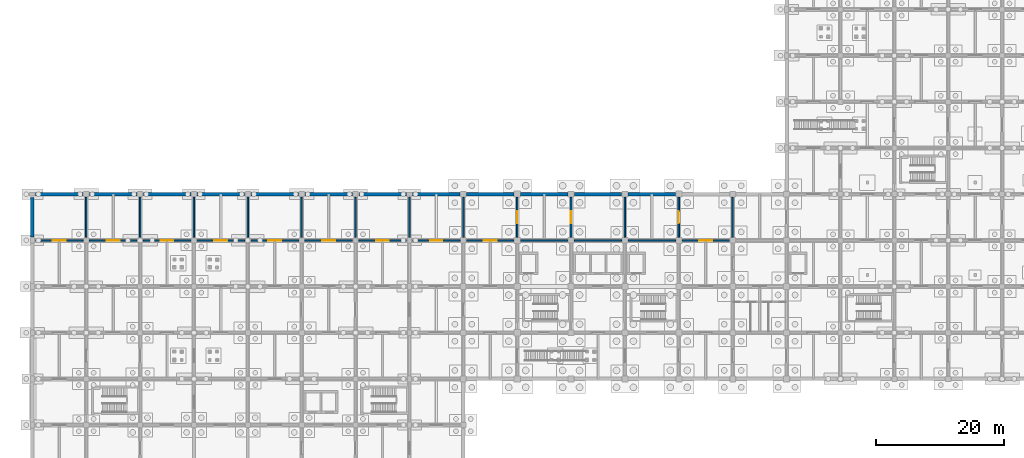
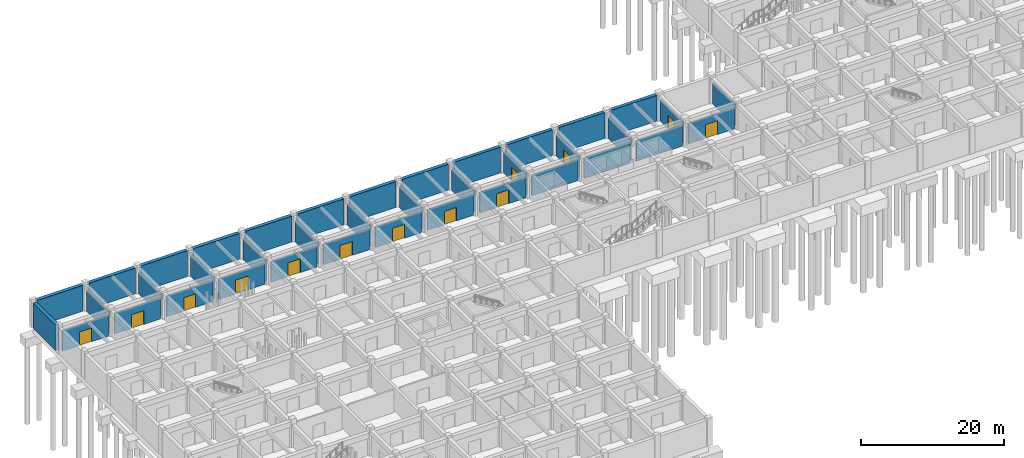
# One storey, part 31 of 38: 39 walls, 13 doors, 13 openings.
"""IFC4 building model written with IfcOpenShell, lengths in metres."""

from ifc_helpers import new_model, si_unit, derived_unit, direction, frame, frame_2d, origin, place, context, subcontext, project, spatial, rectangle, extrude, material, layer, layer_set, type_object, element, fill, save


model = new_model("IFC4")

# Units and contexts
model_context = context("Model", 3, precision=1e-05, world=origin(), true_north=direction((0.0, 1.0)))
body_context = subcontext(model_context, "Body", "Model", "MODEL_VIEW")
ifc_project = project(units=[si_unit("LENGTHUNIT", "METRE"), si_unit("AREAUNIT", "SQUARE_METRE"), si_unit("VOLUMEUNIT", "CUBIC_METRE"), si_unit("PLANEANGLEUNIT", "RADIAN"), si_unit("MASSUNIT", "GRAM", prefix="KILO"), derived_unit("THERMALTRANSMITTANCEUNIT", [(si_unit("MASSUNIT", "GRAM", prefix="KILO"), 1), (si_unit("TIMEUNIT", "SECOND"), -3), (si_unit("THERMODYNAMICTEMPERATUREUNIT", "KELVIN"), -1)])], contexts=[model_context])

# Site, building, storey
site_placement = place(None, origin())
site = spatial("IfcSite", under=ifc_project, at=site_placement, CompositionType="ELEMENT")
building_placement = place(site_placement, origin())
building = spatial("IfcBuilding", under=site, at=building_placement, Name="Veldstrom Oceanarium and Marine Research Institute", CompositionType="ELEMENT")
storey_placement = place(building_placement, frame((0.0, 0.0, -9.60009765625)))
storey = spatial("IfcBuildingStorey", under=building, at=storey_placement, Name="B02", CompositionType="ELEMENT", Elevation=-9.60009765625)

# Wall
ifc_material_1 = material(Name="Masonry Fire Compartment Wall", Category="masonry")
ifc_layer_1 = layer(ifc_material_1, 0.22998046875)
ifc_layer_set_1 = layer_set([ifc_layer_1], Name="ARC-WAL-PT1")
wall_type_1 = type_object("IfcWallType", Name="ARC-WAL-PT1", PredefinedType="PARTITIONING", material=ifc_layer_set_1)
wall_1_placement = place(storey_placement, frame((8.39990234375, 65.300048828125, 0.0), z_axis=(0.0, 0.0, 1.0), x_axis=(0.0, 1.0, 0.0)))
element("IfcWall", 1, at=wall_1_placement, inside=storey, type_object=wall_type_1, Name="Interior Partition PT1 B02-0025", PredefinedType="PARTITIONING", context=body_context, shape_type="SweptSolid", body=[
    extrude(rectangle(XDim=6.199951171875, YDim=0.22998046875, at=frame_2d((3.10009765625, 0.0))), origin(), (0.0, 0.0, 1.0), 3.59521484375),
])

# Wall, opening, door
wall_2_placement = place(storey_placement, frame((8.89990234375, 64.800048828125, 0.0), z_axis=(0.0, 0.0, 1.0), x_axis=(1.0, 0.0, 0.0)))
wall_2 = element("IfcWall", 2, at=wall_2_placement, inside=storey, type_object=wall_type_1, Name="Interior Partition PT1 B02-0042", PredefinedType="PARTITIONING", context=body_context, shape_type="SweptSolid", body=[
    extrude(rectangle(XDim=7.400146484375, YDim=0.22998046875, at=frame_2d((3.7001953125, 0.0))), origin(), (0.0, 0.0, 1.0), 3.4951171875),
])
opening_1_placement = place(wall_2_placement, frame((2.699951171875, 0.0, 0.0)))
opening_1 = element("IfcOpeningElement", 3, at=opening_1_placement, cuts=wall_2, Name="Opening D-B02-027", PredefinedType="OPENING", context=body_context, shape_type="SweptSolid", body=[
    extrude(rectangle(XDim=2.0, YDim=2.35009765625, at=frame_2d((1.0, 1.175048828125))), frame((0.0, 0.125, 0.0), z_axis=(0.0, -1.0, 0.0), x_axis=(1.0, 0.0, 0.0)), (0.0, 0.0, 1.0), 0.25),
])
ifc_material_2 = material(Name="Filtration Hall Double Door", Category="steel")
door_type_1 = type_object("IfcDoorType", Name="ARC-DOR-ID18", OperationType="DOUBLE_DOOR_SINGLE_SWING", PredefinedType="DOOR", material=ifc_material_2)
door_1_placement = place(opening_1_placement, frame((2.0, 0.0, 0.0), z_axis=(0.0, 0.0, 1.0), x_axis=(-1.0, 0.0, 0.0)))
door_1 = element("IfcDoor", 4, at=door_1_placement, inside=storey, type_object=door_type_1, Name="Interior Door D-B02-027", OperationType="DOUBLE_DOOR_SINGLE_SWING", OverallHeight=2.35009765625, OverallWidth=2.0, PredefinedType="DOOR", context=body_context, shape_type="SweptSolid", body=[
    extrude(rectangle(XDim=2.0, YDim=2.35009765625, at=frame_2d((1.0, 1.175048828125))), frame((0.0, 0.02490234375, 0.0), z_axis=(0.0, -1.0, 0.0), x_axis=(1.0, 0.0, 0.0)), (0.0, 0.0, 1.0), 0.050048828125),
])
fill(opening_1, door_1)

# Wall
wall_3_placement = place(storey_placement, frame((25.199951171875, 65.300048828125, 0.0), z_axis=(0.0, 0.0, 1.0), x_axis=(0.0, 1.0, 0.0)))
element("IfcWall", 5, at=wall_3_placement, inside=storey, type_object=wall_type_1, Name="Interior Partition PT1 B02-0060", PredefinedType="PARTITIONING", context=body_context, shape_type="SweptSolid", body=[
    extrude(rectangle(XDim=6.199951171875, YDim=0.22998046875, at=frame_2d((3.10009765625, 0.0))), origin(), (0.0, 0.0, 1.0), 3.59521484375),
])

# Wall, opening, door
wall_4_placement = place(storey_placement, frame((25.699951171875, 64.800048828125, 0.0), z_axis=(0.0, 0.0, 1.0), x_axis=(1.0, 0.0, 0.0)))
wall_4 = element("IfcWall", 6, at=wall_4_placement, inside=storey, type_object=wall_type_1, Name="Interior Partition PT1 B02-0076", PredefinedType="PARTITIONING", context=body_context, shape_type="SweptSolid", body=[
    extrude(rectangle(XDim=7.400146484375, YDim=0.22998046875, at=frame_2d((3.7001953125, 0.0))), origin(), (0.0, 0.0, 1.0), 3.4951171875),
])
opening_2_placement = place(wall_4_placement, frame((2.699951171875, 0.0, 0.0)))
opening_2 = element("IfcOpeningElement", 7, at=opening_2_placement, cuts=wall_4, Name="Opening D-B02-045", PredefinedType="OPENING", context=body_context, shape_type="SweptSolid", body=[
    extrude(rectangle(XDim=2.0, YDim=2.35009765625, at=frame_2d((1.0, 1.175048828125))), frame((0.0, 0.125, 0.0), z_axis=(0.0, -1.0, 0.0), x_axis=(1.0, 0.0, 0.0)), (0.0, 0.0, 1.0), 0.25),
])
door_2_placement = place(opening_2_placement, frame((2.0, 0.0, 0.0), z_axis=(0.0, 0.0, 1.0), x_axis=(-1.0, 0.0, 0.0)))
door_2 = element("IfcDoor", 8, at=door_2_placement, inside=storey, type_object=door_type_1, Name="Interior Door D-B02-045", OperationType="DOUBLE_DOOR_SINGLE_SWING", OverallHeight=2.35009765625, OverallWidth=2.0, PredefinedType="DOOR", context=body_context, shape_type="SweptSolid", body=[
    extrude(rectangle(XDim=2.0, YDim=2.35009765625, at=frame_2d((1.0, 1.175048828125))), frame((0.0, 0.02490234375, 0.0), z_axis=(0.0, -1.0, 0.0), x_axis=(1.0, 0.0, 0.0)), (0.0, 0.0, 1.0), 0.050048828125),
])
fill(opening_2, door_2)

# Wall
wall_5_placement = place(storey_placement, frame((42.0, 65.300048828125, 0.0), z_axis=(0.0, 0.0, 1.0), x_axis=(0.0, 1.0, 0.0)))
element("IfcWall", 9, at=wall_5_placement, inside=storey, type_object=wall_type_1, Name="Interior Partition PT1 B02-0096", PredefinedType="PARTITIONING", context=body_context, shape_type="SweptSolid", body=[
    extrude(rectangle(XDim=6.199951171875, YDim=0.22998046875, at=frame_2d((3.10009765625, 0.0))), origin(), (0.0, 0.0, 1.0), 3.59521484375),
])

# Wall, opening, door
wall_6_placement = place(storey_placement, frame((42.5, 64.800048828125, 0.0), z_axis=(0.0, 0.0, 1.0), x_axis=(1.0, 0.0, 0.0)))
wall_6 = element("IfcWall", 10, at=wall_6_placement, inside=storey, type_object=wall_type_1, Name="Interior Partition PT1 B02-0114", PredefinedType="PARTITIONING", context=body_context, shape_type="SweptSolid", body=[
    extrude(rectangle(XDim=7.39990234375, YDim=0.22998046875, at=frame_2d((3.699951171875, 0.0))), origin(), (0.0, 0.0, 1.0), 3.4951171875),
])
opening_3_placement = place(wall_6_placement, frame((2.699951171875, 0.0, 0.0)))
opening_3 = element("IfcOpeningElement", 11, at=opening_3_placement, cuts=wall_6, Name="Opening D-B02-065", PredefinedType="OPENING", context=body_context, shape_type="SweptSolid", body=[
    extrude(rectangle(XDim=2.0, YDim=2.35009765625, at=frame_2d((1.0, 1.175048828125))), frame((0.0, 0.125, 0.0), z_axis=(0.0, -1.0, 0.0), x_axis=(1.0, 0.0, 0.0)), (0.0, 0.0, 1.0), 0.25),
])
door_3_placement = place(opening_3_placement, frame((2.0, 0.0, 0.0), z_axis=(0.0, 0.0, 1.0), x_axis=(-1.0, 0.0, 0.0)))
door_3 = element("IfcDoor", 12, at=door_3_placement, inside=storey, type_object=door_type_1, Name="Interior Door D-B02-065", OperationType="DOUBLE_DOOR_SINGLE_SWING", OverallHeight=2.35009765625, OverallWidth=2.0, PredefinedType="DOOR", context=body_context, shape_type="SweptSolid", body=[
    extrude(rectangle(XDim=2.0, YDim=2.35009765625, at=frame_2d((1.0, 1.175048828125))), frame((0.0, 0.02490234375, 0.0), z_axis=(0.0, -1.0, 0.0), x_axis=(1.0, 0.0, 0.0)), (0.0, 0.0, 1.0), 0.050048828125),
])
fill(opening_3, door_3)

# Wall
wall_7_placement = place(storey_placement, frame((58.800048828125, 65.300048828125, 0.0), z_axis=(0.0, 0.0, 1.0), x_axis=(0.0, 1.0, 0.0)))
element("IfcWall", 13, at=wall_7_placement, inside=storey, type_object=wall_type_1, Name="Interior Partition PT1 B02-0134", PredefinedType="PARTITIONING", context=body_context, shape_type="SweptSolid", body=[
    extrude(rectangle(XDim=6.199951171875, YDim=0.22998046875, at=frame_2d((3.10009765625, 0.0))), origin(), (0.0, 0.0, 1.0), 3.59521484375),
])

# Wall, opening, door
wall_8_placement = place(storey_placement, frame((59.300048828125, 64.800048828125, 0.0), z_axis=(0.0, 0.0, 1.0), x_axis=(1.0, 0.0, 0.0)))
wall_8 = element("IfcWall", 14, at=wall_8_placement, inside=storey, type_object=wall_type_1, Name="Interior Partition PT1 B02-0146", PredefinedType="PARTITIONING", context=body_context, shape_type="SweptSolid", body=[
    extrude(rectangle(XDim=7.39990234375, YDim=0.22998046875, at=frame_2d((3.699951171875, 0.0))), origin(), (0.0, 0.0, 1.0), 3.4951171875),
])
opening_4_placement = place(wall_8_placement, frame((2.75, 0.0, 0.0)))
opening_4 = element("IfcOpeningElement", 15, at=opening_4_placement, cuts=wall_8, Name="Opening D-B02-084", PredefinedType="OPENING", context=body_context, shape_type="SweptSolid", body=[
    extrude(rectangle(XDim=1.89990234375, YDim=2.300048828125, at=frame_2d((0.949951171875, 1.14990234375))), frame((0.0, 0.125, 0.0), z_axis=(0.0, -1.0, 0.0), x_axis=(1.0, 0.0, 0.0)), (0.0, 0.0, 1.0), 0.25),
])
ifc_material_3 = material(Name="Plant Hall Equipment Door", Category="steel")
door_type_2 = type_object("IfcDoorType", Name="ARC-DOR-ID12", OperationType="DOUBLE_DOOR_SINGLE_SWING", PredefinedType="DOOR", material=ifc_material_3)
door_4_placement = place(opening_4_placement, frame((1.89990234375, 0.0, 0.0), z_axis=(0.0, 0.0, 1.0), x_axis=(-1.0, 0.0, 0.0)))
door_4 = element("IfcDoor", 16, at=door_4_placement, inside=storey, type_object=door_type_2, Name="Interior Door D-B02-084", OperationType="DOUBLE_DOOR_SINGLE_SWING", OverallHeight=2.300048828125, OverallWidth=1.89990234375, PredefinedType="DOOR", context=body_context, shape_type="SweptSolid", body=[
    extrude(rectangle(XDim=1.89990234375, YDim=2.300048828125, at=frame_2d((0.949951171875, 1.14990234375))), frame((0.0, 0.02490234375, 0.0), z_axis=(0.0, -1.0, 0.0), x_axis=(1.0, 0.0, 0.0)), (0.0, 0.0, 1.0), 0.050048828125),
])
fill(opening_4, door_4)

wall_9_placement = place(storey_placement, frame((75.60009765625, 65.300048828125, 0.0), z_axis=(0.0, 0.0, 1.0), x_axis=(0.0, 1.0, 0.0)))
wall_9 = element("IfcWall", 17, at=wall_9_placement, inside=storey, type_object=wall_type_1, Name="Interior Partition PT1 B02-0154", PredefinedType="PARTITIONING", context=body_context, shape_type="SweptSolid", body=[
    extrude(rectangle(XDim=6.199951171875, YDim=0.22998046875, at=frame_2d((3.10009765625, 0.0))), origin(), (0.0, 0.0, 1.0), 3.59521484375),
])
opening_5_placement = place(wall_9_placement, frame((2.14990234375, 0.0, 0.0)))
opening_5 = element("IfcOpeningElement", 18, at=opening_5_placement, cuts=wall_9, Name="Opening D-B02-090", PredefinedType="OPENING", context=body_context, shape_type="SweptSolid", body=[
    extrude(rectangle(XDim=1.89990234375, YDim=2.300048828125, at=frame_2d((0.949951171875, 1.14990234375))), frame((0.0, 0.125, 0.0), z_axis=(0.0, -1.0, 0.0), x_axis=(1.0, 0.0, 0.0)), (0.0, 0.0, 1.0), 0.25),
])
door_5_placement = place(opening_5_placement, origin())
door_5 = element("IfcDoor", 19, at=door_5_placement, inside=storey, type_object=door_type_2, Name="Interior Door D-B02-090", OperationType="DOUBLE_DOOR_SINGLE_SWING", OverallHeight=2.300048828125, OverallWidth=1.89990234375, PredefinedType="DOOR", context=body_context, shape_type="SweptSolid", body=[
    extrude(rectangle(XDim=1.89990234375, YDim=2.300048828125, at=frame_2d((0.949951171875, 1.14990234375))), frame((0.0, 0.02490234375, 0.0), z_axis=(0.0, -1.0, 0.0), x_axis=(1.0, 0.0, 0.0)), (0.0, 0.0, 1.0), 0.050048828125),
])
fill(opening_5, door_5)

# Walls
for number, where, z_axis, x_axis, name in (
    (20, (76.10009765625, 64.800048828125, 0.0), (0.0, 0.0, 1.0), (1.0, 0.0, 0.0), "Interior Partition PT1 B02-0159"),
    (21, (84.5, 64.800048828125, 0.0), (0.0, 0.0, 1.0), (1.0, 0.0, 0.0), "Interior Partition PT1 B02-0166"),
):
    element("IfcWall", number, at=place(storey_placement, frame(where, z_axis=z_axis, x_axis=x_axis)), inside=storey, type_object=wall_type_1, Name=name, PredefinedType="PARTITIONING", context=body_context, shape_type="SweptSolid", body=[
        extrude(rectangle(XDim=7.39990234375, YDim=0.22998046875, at=frame_2d((3.699951171875, 0.0))), origin(), (0.0, 0.0, 1.0), 3.4951171875),
    ])
wall_10_placement = place(storey_placement, frame((92.39990234375, 65.300048828125, 0.0), z_axis=(0.0, 0.0, 1.0), x_axis=(0.0, 1.0, 0.0)))
element("IfcWall", 22, at=wall_10_placement, inside=storey, type_object=wall_type_1, Name="Interior Partition PT1 B02-0167", PredefinedType="PARTITIONING", context=body_context, shape_type="SweptSolid", body=[
    extrude(rectangle(XDim=6.199951171875, YDim=0.22998046875, at=frame_2d((3.10009765625, 0.0))), origin(), (0.0, 0.0, 1.0), 3.59521484375),
])
wall_11_placement = place(storey_placement, frame((92.89990234375, 64.800048828125, 0.0), z_axis=(0.0, 0.0, 1.0), x_axis=(1.0, 0.0, 0.0)))
element("IfcWall", 23, at=wall_11_placement, inside=storey, type_object=wall_type_1, Name="Interior Partition PT1 B02-0173", PredefinedType="PARTITIONING", context=body_context, shape_type="SweptSolid", body=[
    extrude(rectangle(XDim=7.400146484375, YDim=0.22998046875, at=frame_2d((3.7001953125, 0.0))), origin(), (0.0, 0.0, 1.0), 3.4951171875),
])
wall_12_placement = place(storey_placement, frame((109.199951171875, 65.300048828125, 0.0), z_axis=(0.0, 0.0, 1.0), x_axis=(0.0, 1.0, 0.0)))
element("IfcWall", 24, at=wall_12_placement, inside=storey, type_object=wall_type_1, Name="Interior Partition PT1 B02-0181", PredefinedType="PARTITIONING", context=body_context, shape_type="SweptSolid", body=[
    extrude(rectangle(XDim=6.199951171875, YDim=0.22998046875, at=frame_2d((3.10009765625, 0.0))), origin(), (0.0, 0.0, 1.0), 3.59521484375),
])

# Wall, opening, door
ifc_material_4 = material(Name="Plant Acoustic Masonry Wall", Category="masonry")
ifc_layer_2 = layer(ifc_material_4, 0.260009765625)
ifc_layer_set_2 = layer_set([ifc_layer_2], Name="ARC-WAL-PT8")
wall_type_2 = type_object("IfcWallType", Name="ARC-WAL-PT8", PredefinedType="PARTITIONING", material=ifc_layer_set_2)
wall_13_placement = place(storey_placement, frame((0.5, 64.800048828125, 0.0), z_axis=(0.0, 0.0, 1.0), x_axis=(1.0, 0.0, 0.0)))
wall_13 = element("IfcWall", 25, at=wall_13_placement, inside=storey, type_object=wall_type_2, Name="Interior Partition PT8 B02-0024", PredefinedType="PARTITIONING", context=body_context, shape_type="SweptSolid", body=[
    extrude(rectangle(XDim=7.39990234375, YDim=0.260009765625, at=frame_2d((3.699951171875, 0.0))), origin(), (0.0, 0.0, 1.0), 3.4951171875),
])
opening_6_placement = place(wall_13_placement, frame((2.699951171875, 0.0, 0.0)))
opening_6 = element("IfcOpeningElement", 26, at=opening_6_placement, cuts=wall_13, Name="Opening D-B02-017", PredefinedType="OPENING", context=body_context, shape_type="SweptSolid", body=[
    extrude(rectangle(XDim=2.0, YDim=2.35009765625, at=frame_2d((1.0, 1.175048828125))), frame((0.0, 0.139892578125, 0.0), z_axis=(0.0, -1.0, 0.0), x_axis=(1.0, 0.0, 0.0)), (0.0, 0.0, 1.0), 0.280029296875),
])
door_6_placement = place(opening_6_placement, origin())
door_6 = element("IfcDoor", 27, at=door_6_placement, inside=storey, type_object=door_type_1, Name="Interior Door D-B02-017", OperationType="DOUBLE_DOOR_SINGLE_SWING", OverallHeight=2.35009765625, OverallWidth=2.0, PredefinedType="DOOR", context=body_context, shape_type="SweptSolid", body=[
    extrude(rectangle(XDim=2.0, YDim=2.35009765625, at=frame_2d((1.0, 1.175048828125))), frame((0.0, 0.02490234375, 0.0), z_axis=(0.0, -1.0, 0.0), x_axis=(1.0, 0.0, 0.0)), (0.0, 0.0, 1.0), 0.050048828125),
])
fill(opening_6, door_6)

# Wall
wall_14_placement = place(storey_placement, frame((16.800048828125, 65.300048828125, 0.0), z_axis=(0.0, 0.0, 1.0), x_axis=(0.0, 1.0, 0.0)))
element("IfcWall", 28, at=wall_14_placement, inside=storey, type_object=wall_type_2, Name="Interior Partition PT8 B02-0043", PredefinedType="PARTITIONING", context=body_context, shape_type="SweptSolid", body=[
    extrude(rectangle(XDim=6.199951171875, YDim=0.260009765625, at=frame_2d((3.10009765625, 0.0))), origin(), (0.0, 0.0, 1.0), 3.59521484375),
])

# Wall, opening, door
wall_15_placement = place(storey_placement, frame((17.300048828125, 64.800048828125, 0.0), z_axis=(0.0, 0.0, 1.0), x_axis=(1.0, 0.0, 0.0)))
wall_15 = element("IfcWall", 29, at=wall_15_placement, inside=storey, type_object=wall_type_2, Name="Interior Partition PT8 B02-0059", PredefinedType="PARTITIONING", context=body_context, shape_type="SweptSolid", body=[
    extrude(rectangle(XDim=7.39990234375, YDim=0.260009765625, at=frame_2d((3.699951171875, 0.0))), origin(), (0.0, 0.0, 1.0), 3.4951171875),
])
opening_7_placement = place(wall_15_placement, frame((2.75, 0.0, 0.0)))
opening_7 = element("IfcOpeningElement", 30, at=opening_7_placement, cuts=wall_15, Name="Opening D-B02-038", PredefinedType="OPENING", context=body_context, shape_type="SweptSolid", body=[
    extrude(rectangle(XDim=1.89990234375, YDim=2.300048828125, at=frame_2d((0.949951171875, 1.14990234375))), frame((0.0, 0.139892578125, 0.0), z_axis=(0.0, -1.0, 0.0), x_axis=(1.0, 0.0, 0.0)), (0.0, 0.0, 1.0), 0.280029296875),
])
door_7_placement = place(opening_7_placement, origin())
door_7 = element("IfcDoor", 31, at=door_7_placement, inside=storey, type_object=door_type_2, Name="Interior Door D-B02-038", OperationType="DOUBLE_DOOR_SINGLE_SWING", OverallHeight=2.300048828125, OverallWidth=1.89990234375, PredefinedType="DOOR", context=body_context, shape_type="SweptSolid", body=[
    extrude(rectangle(XDim=1.89990234375, YDim=2.300048828125, at=frame_2d((0.949951171875, 1.14990234375))), frame((0.0, 0.02490234375, 0.0), z_axis=(0.0, -1.0, 0.0), x_axis=(1.0, 0.0, 0.0)), (0.0, 0.0, 1.0), 0.050048828125),
])
fill(opening_7, door_7)

# Wall
wall_16_placement = place(storey_placement, frame((33.60009765625, 65.300048828125, 0.0), z_axis=(0.0, 0.0, 1.0), x_axis=(0.0, 1.0, 0.0)))
element("IfcWall", 32, at=wall_16_placement, inside=storey, type_object=wall_type_2, Name="Interior Partition PT8 B02-0077", PredefinedType="PARTITIONING", context=body_context, shape_type="SweptSolid", body=[
    extrude(rectangle(XDim=6.199951171875, YDim=0.260009765625, at=frame_2d((3.10009765625, 0.0))), origin(), (0.0, 0.0, 1.0), 3.59521484375),
])

# Wall, opening, door
wall_17_placement = place(storey_placement, frame((34.10009765625, 64.800048828125, 0.0), z_axis=(0.0, 0.0, 1.0), x_axis=(1.0, 0.0, 0.0)))
wall_17 = element("IfcWall", 33, at=wall_17_placement, inside=storey, type_object=wall_type_2, Name="Interior Partition PT8 B02-0095", PredefinedType="PARTITIONING", context=body_context, shape_type="SweptSolid", body=[
    extrude(rectangle(XDim=7.39990234375, YDim=0.260009765625, at=frame_2d((3.699951171875, 0.0))), origin(), (0.0, 0.0, 1.0), 3.4951171875),
])
opening_8_placement = place(wall_17_placement, frame((2.699951171875, 0.0, 0.0)))
opening_8 = element("IfcOpeningElement", 34, at=opening_8_placement, cuts=wall_17, Name="Opening D-B02-055", PredefinedType="OPENING", context=body_context, shape_type="SweptSolid", body=[
    extrude(rectangle(XDim=2.0, YDim=2.35009765625, at=frame_2d((1.0, 1.175048828125))), frame((0.0, 0.139892578125, 0.0), z_axis=(0.0, -1.0, 0.0), x_axis=(1.0, 0.0, 0.0)), (0.0, 0.0, 1.0), 0.280029296875),
])
door_8_placement = place(opening_8_placement, origin())
door_8 = element("IfcDoor", 35, at=door_8_placement, inside=storey, type_object=door_type_1, Name="Interior Door D-B02-055", OperationType="DOUBLE_DOOR_SINGLE_SWING", OverallHeight=2.35009765625, OverallWidth=2.0, PredefinedType="DOOR", context=body_context, shape_type="SweptSolid", body=[
    extrude(rectangle(XDim=2.0, YDim=2.35009765625, at=frame_2d((1.0, 1.175048828125))), frame((0.0, 0.02490234375, 0.0), z_axis=(0.0, -1.0, 0.0), x_axis=(1.0, 0.0, 0.0)), (0.0, 0.0, 1.0), 0.050048828125),
])
fill(opening_8, door_8)

# Wall
wall_18_placement = place(storey_placement, frame((50.39990234375, 65.300048828125, 0.0), z_axis=(0.0, 0.0, 1.0), x_axis=(0.0, 1.0, 0.0)))
element("IfcWall", 36, at=wall_18_placement, inside=storey, type_object=wall_type_2, Name="Interior Partition PT8 B02-0115", PredefinedType="PARTITIONING", context=body_context, shape_type="SweptSolid", body=[
    extrude(rectangle(XDim=6.199951171875, YDim=0.260009765625, at=frame_2d((3.10009765625, 0.0))), origin(), (0.0, 0.0, 1.0), 3.59521484375),
])

# Wall, opening, door
wall_19_placement = place(storey_placement, frame((50.89990234375, 64.800048828125, 0.0), z_axis=(0.0, 0.0, 1.0), x_axis=(1.0, 0.0, 0.0)))
wall_19 = element("IfcWall", 37, at=wall_19_placement, inside=storey, type_object=wall_type_2, Name="Interior Partition PT8 B02-0133", PredefinedType="PARTITIONING", context=body_context, shape_type="SweptSolid", body=[
    extrude(rectangle(XDim=7.400146484375, YDim=0.260009765625, at=frame_2d((3.7001953125, 0.0))), origin(), (0.0, 0.0, 1.0), 3.4951171875),
])
opening_9_placement = place(wall_19_placement, frame((2.699951171875, 0.0, 0.0)))
opening_9 = element("IfcOpeningElement", 38, at=opening_9_placement, cuts=wall_19, Name="Opening D-B02-075", PredefinedType="OPENING", context=body_context, shape_type="SweptSolid", body=[
    extrude(rectangle(XDim=2.0, YDim=2.35009765625, at=frame_2d((1.0, 1.175048828125))), frame((0.0, 0.139892578125, 0.0), z_axis=(0.0, -1.0, 0.0), x_axis=(1.0, 0.0, 0.0)), (0.0, 0.0, 1.0), 0.280029296875),
])
door_9_placement = place(opening_9_placement, origin())
door_9 = element("IfcDoor", 39, at=door_9_placement, inside=storey, type_object=door_type_1, Name="Interior Door D-B02-075", OperationType="DOUBLE_DOOR_SINGLE_SWING", OverallHeight=2.35009765625, OverallWidth=2.0, PredefinedType="DOOR", context=body_context, shape_type="SweptSolid", body=[
    extrude(rectangle(XDim=2.0, YDim=2.35009765625, at=frame_2d((1.0, 1.175048828125))), frame((0.0, 0.02490234375, 0.0), z_axis=(0.0, -1.0, 0.0), x_axis=(1.0, 0.0, 0.0)), (0.0, 0.0, 1.0), 0.050048828125),
])
fill(opening_9, door_9)

# Wall
wall_20_placement = place(storey_placement, frame((67.199951171875, 65.300048828125, 0.0), z_axis=(0.0, 0.0, 1.0), x_axis=(0.0, 1.0, 0.0)))
element("IfcWall", 40, at=wall_20_placement, inside=storey, type_object=wall_type_2, Name="Interior Partition PT8 B02-0147", PredefinedType="PARTITIONING", context=body_context, shape_type="SweptSolid", body=[
    extrude(rectangle(XDim=6.199951171875, YDim=0.260009765625, at=frame_2d((3.10009765625, 0.0))), origin(), (0.0, 0.0, 1.0), 3.59521484375),
])

# Wall, opening, door
wall_21_placement = place(storey_placement, frame((67.699951171875, 64.800048828125, 0.0), z_axis=(0.0, 0.0, 1.0), x_axis=(1.0, 0.0, 0.0)))
wall_21 = element("IfcWall", 41, at=wall_21_placement, inside=storey, type_object=wall_type_2, Name="Interior Partition PT8 B02-0153", PredefinedType="PARTITIONING", context=body_context, shape_type="SweptSolid", body=[
    extrude(rectangle(XDim=7.400146484375, YDim=0.260009765625, at=frame_2d((3.7001953125, 0.0))), origin(), (0.0, 0.0, 1.0), 3.4951171875),
])
opening_10_placement = place(wall_21_placement, frame((2.699951171875, 0.0, 0.0)))
opening_10 = element("IfcOpeningElement", 42, at=opening_10_placement, cuts=wall_21, Name="Opening D-B02-089", PredefinedType="OPENING", context=body_context, shape_type="SweptSolid", body=[
    extrude(rectangle(XDim=2.0, YDim=2.35009765625, at=frame_2d((1.0, 1.175048828125))), frame((0.0, 0.139892578125, 0.0), z_axis=(0.0, -1.0, 0.0), x_axis=(1.0, 0.0, 0.0)), (0.0, 0.0, 1.0), 0.280029296875),
])
door_10_placement = place(opening_10_placement, origin())
door_10 = element("IfcDoor", 43, at=door_10_placement, inside=storey, type_object=door_type_1, Name="Interior Door D-B02-089", OperationType="DOUBLE_DOOR_SINGLE_SWING", OverallHeight=2.35009765625, OverallWidth=2.0, PredefinedType="DOOR", context=body_context, shape_type="SweptSolid", body=[
    extrude(rectangle(XDim=2.0, YDim=2.35009765625, at=frame_2d((1.0, 1.175048828125))), frame((0.0, 0.02490234375, 0.0), z_axis=(0.0, -1.0, 0.0), x_axis=(1.0, 0.0, 0.0)), (0.0, 0.0, 1.0), 0.050048828125),
])
fill(opening_10, door_10)

wall_22_placement = place(storey_placement, frame((84.0, 65.300048828125, 0.0), z_axis=(0.0, 0.0, 1.0), x_axis=(0.0, 1.0, 0.0)))
wall_22 = element("IfcWall", 44, at=wall_22_placement, inside=storey, type_object=wall_type_2, Name="Interior Partition PT8 B02-0160", PredefinedType="PARTITIONING", context=body_context, shape_type="SweptSolid", body=[
    extrude(rectangle(XDim=6.199951171875, YDim=0.260009765625, at=frame_2d((3.10009765625, 0.0))), origin(), (0.0, 0.0, 1.0), 3.59521484375),
])
opening_11_placement = place(wall_22_placement, frame((2.14990234375, 0.0, 0.0)))
opening_11 = element("IfcOpeningElement", 45, at=opening_11_placement, cuts=wall_22, Name="Opening D-B02-094", PredefinedType="OPENING", context=body_context, shape_type="SweptSolid", body=[
    extrude(rectangle(XDim=1.89990234375, YDim=2.300048828125, at=frame_2d((0.949951171875, 1.14990234375))), frame((0.0, 0.139892578125, 0.0), z_axis=(0.0, -1.0, 0.0), x_axis=(1.0, 0.0, 0.0)), (0.0, 0.0, 1.0), 0.280029296875),
])
door_11_placement = place(opening_11_placement, frame((1.89990234375, 0.0, 0.0), z_axis=(0.0, 0.0, 1.0), x_axis=(-1.0, 0.0, 0.0)))
door_11 = element("IfcDoor", 46, at=door_11_placement, inside=storey, type_object=door_type_2, Name="Interior Door D-B02-094", OperationType="DOUBLE_DOOR_SINGLE_SWING", OverallHeight=2.300048828125, OverallWidth=1.89990234375, PredefinedType="DOOR", context=body_context, shape_type="SweptSolid", body=[
    extrude(rectangle(XDim=1.89990234375, YDim=2.300048828125, at=frame_2d((0.949951171875, 1.14990234375))), frame((0.0, 0.02490234375, 0.0), z_axis=(0.0, -1.0, 0.0), x_axis=(1.0, 0.0, 0.0)), (0.0, 0.0, 1.0), 0.050048828125),
])
fill(opening_11, door_11)

wall_23_placement = place(storey_placement, frame((100.800048828125, 65.300048828125, 0.0), z_axis=(0.0, 0.0, 1.0), x_axis=(0.0, 1.0, 0.0)))
wall_23 = element("IfcWall", 47, at=wall_23_placement, inside=storey, type_object=wall_type_2, Name="Interior Partition PT8 B02-0174", PredefinedType="PARTITIONING", context=body_context, shape_type="SweptSolid", body=[
    extrude(rectangle(XDim=6.199951171875, YDim=0.260009765625, at=frame_2d((3.10009765625, 0.0))), origin(), (0.0, 0.0, 1.0), 3.59521484375),
])
opening_12_placement = place(wall_23_placement, frame((2.14990234375, 0.0, 0.0)))
opening_12 = element("IfcOpeningElement", 48, at=opening_12_placement, cuts=wall_23, Name="Opening D-B02-102", PredefinedType="OPENING", context=body_context, shape_type="SweptSolid", body=[
    extrude(rectangle(XDim=1.89990234375, YDim=2.300048828125, at=frame_2d((0.949951171875, 1.14990234375))), frame((0.0, 0.139892578125, 0.0), z_axis=(0.0, -1.0, 0.0), x_axis=(1.0, 0.0, 0.0)), (0.0, 0.0, 1.0), 0.280029296875),
])
door_12_placement = place(opening_12_placement, frame((1.89990234375, 0.0, 0.0), z_axis=(0.0, 0.0, 1.0), x_axis=(-1.0, 0.0, 0.0)))
door_12 = element("IfcDoor", 49, at=door_12_placement, inside=storey, type_object=door_type_2, Name="Interior Door D-B02-102", OperationType="DOUBLE_DOOR_SINGLE_SWING", OverallHeight=2.300048828125, OverallWidth=1.89990234375, PredefinedType="DOOR", context=body_context, shape_type="SweptSolid", body=[
    extrude(rectangle(XDim=1.89990234375, YDim=2.300048828125, at=frame_2d((0.949951171875, 1.14990234375))), frame((0.0, 0.02490234375, 0.0), z_axis=(0.0, -1.0, 0.0), x_axis=(1.0, 0.0, 0.0)), (0.0, 0.0, 1.0), 0.050048828125),
])
fill(opening_12, door_12)

wall_24_placement = place(storey_placement, frame((101.300048828125, 64.800048828125, 0.0), z_axis=(0.0, 0.0, 1.0), x_axis=(1.0, 0.0, 0.0)))
wall_24 = element("IfcWall", 50, at=wall_24_placement, inside=storey, type_object=wall_type_2, Name="Interior Partition PT8 B02-0180", PredefinedType="PARTITIONING", context=body_context, shape_type="SweptSolid", body=[
    extrude(rectangle(XDim=7.39990234375, YDim=0.260009765625, at=frame_2d((3.699951171875, 0.0))), origin(), (0.0, 0.0, 1.0), 3.4951171875),
])
opening_13_placement = place(wall_24_placement, frame((2.699951171875, 0.0, 0.0)))
opening_13 = element("IfcOpeningElement", 51, at=opening_13_placement, cuts=wall_24, Name="Opening D-B02-107", PredefinedType="OPENING", context=body_context, shape_type="SweptSolid", body=[
    extrude(rectangle(XDim=2.0, YDim=2.35009765625, at=frame_2d((1.0, 1.175048828125))), frame((0.0, 0.139892578125, 0.0), z_axis=(0.0, -1.0, 0.0), x_axis=(1.0, 0.0, 0.0)), (0.0, 0.0, 1.0), 0.280029296875),
])
door_13_placement = place(opening_13_placement, origin())
door_13 = element("IfcDoor", 52, at=door_13_placement, inside=storey, type_object=door_type_1, Name="Interior Door D-B02-107", OperationType="DOUBLE_DOOR_SINGLE_SWING", OverallHeight=2.35009765625, OverallWidth=2.0, PredefinedType="DOOR", context=body_context, shape_type="SweptSolid", body=[
    extrude(rectangle(XDim=2.0, YDim=2.35009765625, at=frame_2d((1.0, 1.175048828125))), frame((0.0, 0.02490234375, 0.0), z_axis=(0.0, -1.0, 0.0), x_axis=(1.0, 0.0, 0.0)), (0.0, 0.0, 1.0), 0.050048828125),
])
fill(opening_13, door_13)

# Walls
ifc_material_5 = material(Name="Concrete C40/50", Category="concrete")
ifc_layer_3 = layer(ifc_material_5, 0.550048828125)
ifc_layer_set_3 = layer_set([ifc_layer_3], Name="STR-WAL-WR1")
wall_type_3 = type_object("IfcWallType", Name="STR-WAL-WR1", PredefinedType="USERDEFINED", material=ifc_layer_set_3)
wall_25_placement = place(storey_placement, frame((0.5, 72.0, 0.0), z_axis=(0.0, 0.0, 1.0), x_axis=(1.0, 0.0, 0.0)))
element("IfcWall", 53, at=wall_25_placement, inside=storey, type_object=wall_type_3, Name="Basement Retaining Wall WR1-B02-011", ObjectType="Retaining wall", PredefinedType="USERDEFINED", context=body_context, shape_type="SweptSolid", body=[
    extrude(rectangle(XDim=7.39990234375, YDim=0.550048828125, at=frame_2d((3.699951171875, 0.0))), origin(), (0.0, 0.0, 1.0), 4.400146484375),
])
wall_26_placement = place(storey_placement, frame((0.0, 65.300048828125, 0.0), z_axis=(0.0, 0.0, 1.0), x_axis=(0.0, 1.0, 0.0)))
element("IfcWall", 54, at=wall_26_placement, inside=storey, type_object=wall_type_3, Name="Basement Retaining Wall WR1-B02-012", ObjectType="Retaining wall", PredefinedType="USERDEFINED", context=body_context, shape_type="SweptSolid", body=[
    extrude(rectangle(XDim=6.199951171875, YDim=0.550048828125, at=frame_2d((3.10009765625, 0.0))), origin(), (0.0, 0.0, 1.0), 4.400146484375),
])
wall_27_placement = place(storey_placement, frame((8.89990234375, 72.0, 0.0), z_axis=(0.0, 0.0, 1.0), x_axis=(1.0, 0.0, 0.0)))
element("IfcWall", 55, at=wall_27_placement, inside=storey, type_object=wall_type_3, Name="Basement Retaining Wall WR1-B02-014", ObjectType="Retaining wall", PredefinedType="USERDEFINED", context=body_context, shape_type="SweptSolid", body=[
    extrude(rectangle(XDim=7.400146484375, YDim=0.550048828125, at=frame_2d((3.7001953125, 0.0))), origin(), (0.0, 0.0, 1.0), 4.400146484375),
])
wall_28_placement = place(storey_placement, frame((17.300048828125, 72.0, 0.0), z_axis=(0.0, 0.0, 1.0), x_axis=(1.0, 0.0, 0.0)))
element("IfcWall", 56, at=wall_28_placement, inside=storey, type_object=wall_type_3, Name="Basement Retaining Wall WR1-B02-016", ObjectType="Retaining wall", PredefinedType="USERDEFINED", context=body_context, shape_type="SweptSolid", body=[
    extrude(rectangle(XDim=7.39990234375, YDim=0.550048828125, at=frame_2d((3.699951171875, 0.0))), origin(), (0.0, 0.0, 1.0), 4.400146484375),
])
wall_29_placement = place(storey_placement, frame((25.699951171875, 72.0, 0.0), z_axis=(0.0, 0.0, 1.0), x_axis=(1.0, 0.0, 0.0)))
element("IfcWall", 57, at=wall_29_placement, inside=storey, type_object=wall_type_3, Name="Basement Retaining Wall WR1-B02-018", ObjectType="Retaining wall", PredefinedType="USERDEFINED", context=body_context, shape_type="SweptSolid", body=[
    extrude(rectangle(XDim=7.400146484375, YDim=0.550048828125, at=frame_2d((3.7001953125, 0.0))), origin(), (0.0, 0.0, 1.0), 4.400146484375),
])
for number, where, z_axis, x_axis, name in (
    (58, (34.10009765625, 72.0, 0.0), (0.0, 0.0, 1.0), (1.0, 0.0, 0.0), "Basement Retaining Wall WR1-B02-020"),
    (59, (42.5, 72.0, 0.0), (0.0, 0.0, 1.0), (1.0, 0.0, 0.0), "Basement Retaining Wall WR1-B02-022"),
):
    element("IfcWall", number, at=place(storey_placement, frame(where, z_axis=z_axis, x_axis=x_axis)), inside=storey, type_object=wall_type_3, Name=name, ObjectType="Retaining wall", PredefinedType="USERDEFINED", context=body_context, shape_type="SweptSolid", body=[
        extrude(rectangle(XDim=7.39990234375, YDim=0.550048828125, at=frame_2d((3.699951171875, 0.0))), origin(), (0.0, 0.0, 1.0), 4.400146484375),
    ])
wall_30_placement = place(storey_placement, frame((50.89990234375, 72.0, 0.0), z_axis=(0.0, 0.0, 1.0), x_axis=(1.0, 0.0, 0.0)))
element("IfcWall", 60, at=wall_30_placement, inside=storey, type_object=wall_type_3, Name="Basement Retaining Wall WR1-B02-024", ObjectType="Retaining wall", PredefinedType="USERDEFINED", context=body_context, shape_type="SweptSolid", body=[
    extrude(rectangle(XDim=7.400146484375, YDim=0.550048828125, at=frame_2d((3.7001953125, 0.0))), origin(), (0.0, 0.0, 1.0), 4.400146484375),
])
wall_31_placement = place(storey_placement, frame((59.300048828125, 72.0, 0.0), z_axis=(0.0, 0.0, 1.0), x_axis=(1.0, 0.0, 0.0)))
element("IfcWall", 61, at=wall_31_placement, inside=storey, type_object=wall_type_3, Name="Basement Retaining Wall WR1-B02-032", ObjectType="Retaining wall", PredefinedType="USERDEFINED", context=body_context, shape_type="SweptSolid", body=[
    extrude(rectangle(XDim=7.39990234375, YDim=0.550048828125, at=frame_2d((3.699951171875, 0.0))), origin(), (0.0, 0.0, 1.0), 4.400146484375),
])
wall_32_placement = place(storey_placement, frame((67.699951171875, 72.0, 0.0), z_axis=(0.0, 0.0, 1.0), x_axis=(1.0, 0.0, 0.0)))
element("IfcWall", 62, at=wall_32_placement, inside=storey, type_object=wall_type_3, Name="Basement Retaining Wall WR1-B02-034", ObjectType="Retaining wall", PredefinedType="USERDEFINED", context=body_context, shape_type="SweptSolid", body=[
    extrude(rectangle(XDim=7.400146484375, YDim=0.550048828125, at=frame_2d((3.7001953125, 0.0))), origin(), (0.0, 0.0, 1.0), 4.400146484375),
])
for number, where, z_axis, x_axis, name in (
    (63, (76.10009765625, 72.0, 0.0), (0.0, 0.0, 1.0), (1.0, 0.0, 0.0), "Basement Retaining Wall WR1-B02-036"),
    (64, (84.5, 72.0, 0.0), (0.0, 0.0, 1.0), (1.0, 0.0, 0.0), "Basement Retaining Wall WR1-B02-038"),
):
    element("IfcWall", number, at=place(storey_placement, frame(where, z_axis=z_axis, x_axis=x_axis)), inside=storey, type_object=wall_type_3, Name=name, ObjectType="Retaining wall", PredefinedType="USERDEFINED", context=body_context, shape_type="SweptSolid", body=[
        extrude(rectangle(XDim=7.39990234375, YDim=0.550048828125, at=frame_2d((3.699951171875, 0.0))), origin(), (0.0, 0.0, 1.0), 4.400146484375),
    ])
wall_33_placement = place(storey_placement, frame((92.89990234375, 72.0, 0.0), z_axis=(0.0, 0.0, 1.0), x_axis=(1.0, 0.0, 0.0)))
element("IfcWall", 65, at=wall_33_placement, inside=storey, type_object=wall_type_3, Name="Basement Retaining Wall WR1-B02-040", ObjectType="Retaining wall", PredefinedType="USERDEFINED", context=body_context, shape_type="SweptSolid", body=[
    extrude(rectangle(XDim=7.400146484375, YDim=0.550048828125, at=frame_2d((3.7001953125, 0.0))), origin(), (0.0, 0.0, 1.0), 4.400146484375),
])

save(model, "model.ifc")
